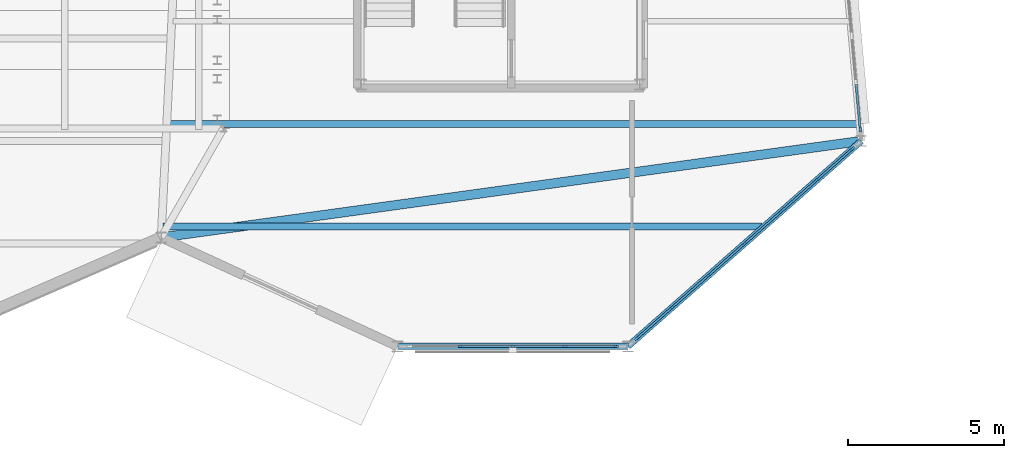
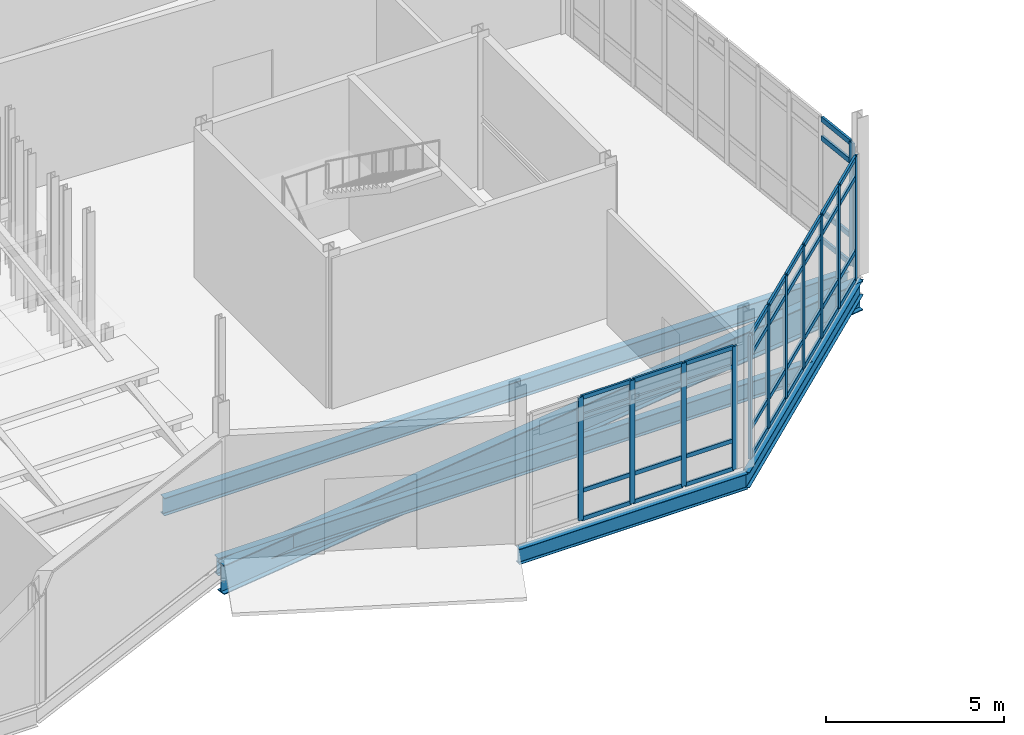
# One storey, part 26 of 113: 52 members, 5 beams, 3 elements without a shape of their own.
"""IFC4 building model written with IfcOpenShell, lengths in metres."""

from ifc_helpers import new_model, si_unit, direction, frame, origin, origin_2d, place, context, subcontext, project, spatial, rectangle, i_section, extrude, material, material_profile, profile_set, type_object, element, aggregate, save


model = new_model("IFC4")

# Units and contexts
model_context = context("Model", 3, precision=1e-05, world=origin(), true_north=direction((0.0, 1.0)))
body_context = subcontext(model_context, "Body", "Model", "MODEL_VIEW")
ifc_project = project(units=[si_unit("LENGTHUNIT", "METRE"), si_unit("AREAUNIT", "SQUARE_METRE"), si_unit("VOLUMEUNIT", "CUBIC_METRE"), si_unit("PLANEANGLEUNIT", "RADIAN"), si_unit("MASSUNIT", "GRAM", prefix="KILO")], contexts=[model_context])

# Site, building, storey
site_placement = place(None, origin())
site = spatial("IfcSite", under=ifc_project, at=site_placement, CompositionType="ELEMENT")
building_placement = place(site_placement, origin())
building = spatial("IfcBuilding", under=site, at=building_placement, Name="Tameran Prism Museum", CompositionType="ELEMENT")
storey_placement = place(building_placement, origin())
storey = spatial("IfcBuildingStorey", under=building, at=storey_placement, Name="L00", CompositionType="ELEMENT", Elevation=0.0)

# Beams
ifc_material_1 = material(Name="Steel Grade 300PLUS (300 MPa)", Category="steel")
ifc_material_profile_1 = material_profile(ifc_material_1, i_section(OverallWidth=0.208984375, OverallDepth=0.532958984375, WebThickness=0.01025390625, FlangeThickness=0.015625, FilletRadius=0.013916015625, at=origin_2d()))
ifc_profile_set_1 = profile_set([ifc_material_profile_1])
beam_type_1 = type_object("IfcBeamType", Name="BM-SP530A", PredefinedType="SPANDREL", material=ifc_profile_set_1)
beam_1_placement = place(storey_placement, frame((37.60009765625, 0.0, -0.506591796875), z_axis=(0.75070866914, 0.660633403696, 0.0), x_axis=(-0.660633403696, 0.75070866914, 0.0)))
element("IfcBeam", 1, at=beam_1_placement, inside=storey, type_object=beam_type_1, Name="Perimeter Spandrel SP-0064", PredefinedType="SPANDREL", context=body_context, shape_type="SweptSolid", body=[
    extrude(i_section(OverallWidth=0.208984375, OverallDepth=0.532958984375, WebThickness=0.01025390625, FlangeThickness=0.015625, FilletRadius=0.013916015625, at=origin_2d()), origin(), (0.0, 0.0, 1.0), 9.990478515625),
])
ifc_material_2 = material(Name="Steel Grade 300PLUS (300 MPa)", Category="steel")
ifc_material_profile_2 = material_profile(ifc_material_2, i_section(OverallWidth=0.208984375, OverallDepth=0.528076171875, WebThickness=0.009521484375, FlangeThickness=0.01318359375, FilletRadius=0.013916015625, at=origin_2d()))
ifc_profile_set_2 = profile_set([ifc_material_profile_2])
beam_type_2 = type_object("IfcBeamType", Name="BM-SP530B", PredefinedType="SPANDREL", material=ifc_profile_set_2)
beam_2_placement = place(storey_placement, frame((30.199951171875, 0.0, -0.50390625), z_axis=(1.0, 0.0, 0.0), x_axis=(0.0, 1.0, 0.0)))
element("IfcBeam", 2, at=beam_2_placement, inside=storey, type_object=beam_type_2, Name="Perimeter Spandrel SP-0063", PredefinedType="SPANDREL", context=body_context, shape_type="SweptSolid", body=[
    extrude(i_section(OverallWidth=0.208984375, OverallDepth=0.528076171875, WebThickness=0.009521484375, FlangeThickness=0.01318359375, FilletRadius=0.013916015625, at=origin_2d()), origin(), (0.0, 0.0, 1.0), 7.400146484375),
])
ifc_material_3 = material(Name="Steel Grade 300PLUS (300 MPa)", Category="steel")
ifc_material_profile_3 = material_profile(ifc_material_3, i_section(OverallWidth=0.22802734375, OverallDepth=0.60693359375, WebThickness=0.01123046875, FlangeThickness=0.017333984375, FilletRadius=0.013916015625, at=origin_2d()))
ifc_profile_set_3 = profile_set([ifc_material_profile_3])
beam_type_3 = type_object("IfcBeamType", Name="BM-UB610B", PredefinedType="BEAM", material=ifc_profile_set_3)
beam_3_placement = place(storey_placement, frame((22.656982421875, 3.85009765625, -0.54345703125), z_axis=(1.0, 0.0, 0.0), x_axis=(0.0, 1.0, 0.0)))
element("IfcBeam", 3, at=beam_3_placement, inside=storey, type_object=beam_type_3, Name="Floor Beam BM-0259", PredefinedType="BEAM", context=body_context, shape_type="SweptSolid", body=[
    extrude(i_section(OverallWidth=0.22802734375, OverallDepth=0.60693359375, WebThickness=0.01123046875, FlangeThickness=0.017333984375, FilletRadius=0.013916015625, at=origin_2d()), origin(), (0.0, 0.0, 1.0), 19.257080078125),
])
beam_4_placement = place(storey_placement, frame((22.818115234375, 7.14990234375, -0.54345703125), z_axis=(1.0, 0.0, 0.0), x_axis=(0.0, 1.0, 0.0)))
element("IfcBeam", 4, at=beam_4_placement, inside=storey, type_object=beam_type_3, Name="Floor Beam BM-0260", PredefinedType="BEAM", context=body_context, shape_type="SweptSolid", body=[
    extrude(i_section(OverallWidth=0.22802734375, OverallDepth=0.60693359375, WebThickness=0.01123046875, FlangeThickness=0.017333984375, FilletRadius=0.013916015625, at=origin_2d()), origin(), (0.0, 0.0, 1.0), 22.19189453125),
])
ifc_material_4 = material(Name="Steel Grade 350 (350 MPa)", Category="steel")
ifc_material_profile_4 = material_profile(ifc_material_4, i_section(OverallWidth=0.300048828125, OverallDepth=1.0, WebThickness=0.01611328125, FlangeThickness=0.031982421875, at=origin_2d()))
ifc_profile_set_4 = profile_set([ifc_material_profile_4])
beam_type_4 = type_object("IfcBeamType", Name="BM-WB1000", PredefinedType="BEAM", material=ifc_profile_set_4)
beam_5_placement = place(storey_placement, frame((22.60009765625, 3.5, -0.739990234375), z_axis=(0.990641086736, 0.136492627163, 0.0), x_axis=(-0.136492627163, 0.990641086736, 0.0)))
element("IfcBeam", 5, at=beam_5_placement, inside=storey, type_object=beam_type_4, Name="Primary Vertex Girder PG-0067", PredefinedType="BEAM", context=body_context, shape_type="SweptSolid", body=[
    extrude(i_section(OverallWidth=0.300048828125, OverallDepth=1.0, WebThickness=0.01611328125, FlangeThickness=0.031982421875, at=origin_2d()), origin(), (0.0, 0.0, 1.0), 22.712646484375),
])

# Curtain wall, members
ifc_material_5 = material(Name="Anodised Aluminium 6063-T6 and Cyclone Solar Glass", Category="aluminium")
curtain_wall_type_1 = type_object("IfcCurtainWallType", Name="CW-FAC-670x422", PredefinedType="USERDEFINED", material=ifc_material_5)
curtain_wall_1_placement = place(storey_placement, origin())
curtain_wall_1 = element("IfcCurtainWall", 6, at=curtain_wall_1_placement, inside=storey, type_object=curtain_wall_type_1, Name="Unitised Curtain Wall CW-043", ObjectType="UNITISED CURTAIN WALL", PredefinedType="USERDEFINED")
ifc_material_6 = material(Name="Anodised Aluminium Alloy 6063-T6", Category="aluminium")
ifc_material_profile_5 = material_profile(ifc_material_6, rectangle(XDim=0.06494140625, YDim=0.159912109375, at=origin_2d()))
ifc_profile_set_5 = profile_set([ifc_material_profile_5])
member_type_1 = type_object("IfcMemberType", Name="CW-MUL-A", PredefinedType="MULLION", material=ifc_profile_set_5)
member_1_placement = place(storey_placement, frame((37.217529296875, 0.0, 0.0), z_axis=(0.0, 0.0, 1.0), x_axis=(0.0, -1.0, 0.0)))
member_1 = element("IfcMember", 7, at=member_1_placement, type_object=member_type_1, Name="CW-043 mullion 1", PredefinedType="MULLION", context=body_context, shape_type="SweptSolid", body=[
    extrude(rectangle(XDim=0.06494140625, YDim=0.159912109375, at=origin_2d()), origin(), (0.0, 0.0, 1.0), 4.219970703125),
])
member_2_placement = place(storey_placement, frame((35.574951171875, 0.0, 0.0), z_axis=(0.0, 0.0, 1.0), x_axis=(0.0, -1.0, 0.0)))
member_2 = element("IfcMember", 8, at=member_2_placement, type_object=member_type_1, Name="CW-043 mullion 2", PredefinedType="MULLION", context=body_context, shape_type="SweptSolid", body=[
    extrude(rectangle(XDim=0.06494140625, YDim=0.159912109375, at=origin_2d()), origin(), (0.0, 0.0, 1.0), 4.219970703125),
])
member_3_placement = place(storey_placement, frame((33.89990234375, 0.0, 0.0), z_axis=(0.0, 0.0, 1.0), x_axis=(0.0, -1.0, 0.0)))
member_3 = element("IfcMember", 9, at=member_3_placement, type_object=member_type_1, Name="CW-043 mullion 3", PredefinedType="MULLION", context=body_context, shape_type="SweptSolid", body=[
    extrude(rectangle(XDim=0.06494140625, YDim=0.159912109375, at=origin_2d()), origin(), (0.0, 0.0, 1.0), 4.219970703125),
])
member_4_placement = place(storey_placement, frame((32.22509765625, 0.0, 0.0), z_axis=(0.0, 0.0, 1.0), x_axis=(0.0, -1.0, 0.0)))
member_4 = element("IfcMember", 10, at=member_4_placement, type_object=member_type_1, Name="CW-043 mullion 4", PredefinedType="MULLION", context=body_context, shape_type="SweptSolid", body=[
    extrude(rectangle(XDim=0.06494140625, YDim=0.159912109375, at=origin_2d()), origin(), (0.0, 0.0, 1.0), 4.219970703125),
])

ifc_material_7 = material(Name="Anodised Aluminium 6063-T6 and Cyclone Solar Glass", Category="aluminium")
curtain_wall_type_2 = type_object("IfcCurtainWallType", Name="CW-FAC-929x422", PredefinedType="USERDEFINED", material=ifc_material_7)
curtain_wall_2_placement = place(storey_placement, origin())
curtain_wall_2 = element("IfcCurtainWall", 11, at=curtain_wall_2_placement, inside=storey, type_object=curtain_wall_type_2, Name="Unitised Curtain Wall CW-044", ObjectType="UNITISED CURTAIN WALL", PredefinedType="USERDEFINED")
ifc_material_8 = material(Name="Anodised Aluminium Alloy 6063-T6", Category="aluminium")
ifc_material_profile_6 = material_profile(ifc_material_8, rectangle(XDim=0.070068359375, YDim=0.179931640625, at=origin_2d()))
ifc_profile_set_6 = profile_set([ifc_material_profile_6])
member_type_2 = type_object("IfcMemberType", Name="CW-MUL-B", PredefinedType="MULLION", material=ifc_profile_set_6)
member_5_placement = place(storey_placement, frame((44.810791015625, 6.345947265625, 0.0), z_axis=(0.0, 0.0, 1.0), x_axis=(0.660681275391, -0.750666538716, 0.0)))
member_5 = element("IfcMember", 12, at=member_5_placement, type_object=member_type_2, Name="CW-044 mullion 1", PredefinedType="MULLION", context=body_context, shape_type="SweptSolid", body=[
    extrude(rectangle(XDim=0.070068359375, YDim=0.179931640625, at=origin_2d()), origin(), (0.0, 0.0, 1.0), 4.219970703125),
])
member_6_placement = place(storey_placement, frame((43.674560546875, 5.345947265625, 0.0), z_axis=(0.0, 0.0, 1.0), x_axis=(0.660681275391, -0.750666538716, 0.0)))
member_6 = element("IfcMember", 13, at=member_6_placement, type_object=member_type_2, Name="CW-044 mullion 2", PredefinedType="MULLION", context=body_context, shape_type="SweptSolid", body=[
    extrude(rectangle(XDim=0.070068359375, YDim=0.179931640625, at=origin_2d()), origin(), (0.0, 0.0, 1.0), 4.219970703125),
])
member_7_placement = place(storey_placement, frame((42.512451171875, 4.322998046875, 0.0), z_axis=(0.0, 0.0, 1.0), x_axis=(0.660681275391, -0.750666538716, 0.0)))
member_7 = element("IfcMember", 14, at=member_7_placement, type_object=member_type_2, Name="CW-044 mullion 3", PredefinedType="MULLION", context=body_context, shape_type="SweptSolid", body=[
    extrude(rectangle(XDim=0.070068359375, YDim=0.179931640625, at=origin_2d()), origin(), (0.0, 0.0, 1.0), 4.219970703125),
])
member_8_placement = place(storey_placement, frame((41.35009765625, 3.300048828125, 0.0), z_axis=(0.0, 0.0, 1.0), x_axis=(0.660681275391, -0.750666538716, 0.0)))
member_8 = element("IfcMember", 15, at=member_8_placement, type_object=member_type_2, Name="CW-044 mullion 4", PredefinedType="MULLION", context=body_context, shape_type="SweptSolid", body=[
    extrude(rectangle(XDim=0.070068359375, YDim=0.179931640625, at=origin_2d()), origin(), (0.0, 0.0, 1.0), 4.219970703125),
])
member_9_placement = place(storey_placement, frame((40.187744140625, 2.277099609375, 0.0), z_axis=(0.0, 0.0, 1.0), x_axis=(0.660681275391, -0.750666538716, 0.0)))
member_9 = element("IfcMember", 16, at=member_9_placement, type_object=member_type_2, Name="CW-044 mullion 5", PredefinedType="MULLION", context=body_context, shape_type="SweptSolid", body=[
    extrude(rectangle(XDim=0.070068359375, YDim=0.179931640625, at=origin_2d()), origin(), (0.0, 0.0, 1.0), 4.219970703125),
])
member_10_placement = place(storey_placement, frame((39.025390625, 1.25390625, 0.0), z_axis=(0.0, 0.0, 1.0), x_axis=(0.660681275391, -0.750666538716, 0.0)))
member_10 = element("IfcMember", 17, at=member_10_placement, type_object=member_type_2, Name="CW-044 mullion 6", PredefinedType="MULLION", context=body_context, shape_type="SweptSolid", body=[
    extrude(rectangle(XDim=0.070068359375, YDim=0.179931640625, at=origin_2d()), origin(), (0.0, 0.0, 1.0), 4.219970703125),
])
member_11_placement = place(storey_placement, frame((37.88916015625, 0.254150390625, 0.0), z_axis=(0.0, 0.0, 1.0), x_axis=(0.660681275391, -0.750666538716, 0.0)))
member_11 = element("IfcMember", 18, at=member_11_placement, type_object=member_type_2, Name="CW-044 mullion 7", PredefinedType="MULLION", context=body_context, shape_type="SweptSolid", body=[
    extrude(rectangle(XDim=0.070068359375, YDim=0.179931640625, at=origin_2d()), origin(), (0.0, 0.0, 1.0), 4.219970703125),
])

# Curtain wall, member
ifc_material_9 = material(Name="Anodised Aluminium 6063-T6 and Cyclone Solar Glass", Category="aluminium")
curtain_wall_type_3 = type_object("IfcCurtainWallType", Name="CW-FAC-1370x422", PredefinedType="USERDEFINED", material=ifc_material_9)
curtain_wall_3_placement = place(storey_placement, origin())
curtain_wall_3 = element("IfcCurtainWall", 19, at=curtain_wall_3_placement, inside=storey, type_object=curtain_wall_type_3, Name="Unitised Curtain Wall CW-045", ObjectType="UNITISED CURTAIN WALL", PredefinedType="USERDEFINED")
ifc_material_10 = material(Name="Anodised Aluminium Alloy 6063-T6", Category="aluminium")
ifc_material_profile_7 = material_profile(ifc_material_10, rectangle(XDim=0.074951171875, YDim=0.199951171875, at=origin_2d()))
ifc_profile_set_7 = profile_set([ifc_material_profile_7])
member_type_3 = type_object("IfcMemberType", Name="CW-MUL-C", PredefinedType="MULLION", material=ifc_profile_set_7)
member_12_placement = place(storey_placement, frame((45.065673828125, 6.986328125, 0.0), z_axis=(0.0, 0.0, 1.0), x_axis=(0.995940344723, 0.090015719474, 0.0)))
member_12 = element("IfcMember", 20, at=member_12_placement, type_object=member_type_3, Name="CW-045 mullion 10", PredefinedType="MULLION", context=body_context, shape_type="SweptSolid", body=[
    extrude(rectangle(XDim=0.074951171875, YDim=0.199951171875, at=origin_2d()), origin(), (0.0, 0.0, 1.0), 4.219970703125),
])

# Member
ifc_material_11 = material(Name="Anodised Aluminium Alloy 6063-T6", Category="aluminium")
ifc_material_profile_8 = material_profile(ifc_material_11, rectangle(XDim=0.06494140625, YDim=0.139892578125, at=origin_2d()))
ifc_profile_set_8 = profile_set([ifc_material_profile_8])
member_type_4 = type_object("IfcMemberType", Name="CW-TRN-A", PredefinedType="USERDEFINED", material=ifc_profile_set_8)
member_13_placement = place(storey_placement, frame((37.18505859375, 0.0, 0.032470703125), z_axis=(-1.0, 0.0, 0.0), x_axis=(0.0, -1.0, 0.0)))
member_13 = element("IfcMember", 21, at=member_13_placement, type_object=member_type_4, Name="CW-043 transom 1.1", ObjectType="TRANSOM", PredefinedType="USERDEFINED", context=body_context, shape_type="SweptSolid", body=[
    extrude(rectangle(XDim=0.06494140625, YDim=0.139892578125, at=origin_2d()), origin(), (0.0, 0.0, 1.0), 1.57763671875),
])

member_14_placement = place(storey_placement, frame((37.18505859375, 0.0, 1.0), z_axis=(-1.0, 0.0, 0.0), x_axis=(0.0, -1.0, 0.0)))
member_14 = element("IfcMember", 22, at=member_14_placement, type_object=member_type_4, Name="CW-043 transom 1.2", ObjectType="TRANSOM", PredefinedType="USERDEFINED", context=body_context, shape_type="SweptSolid", body=[
    extrude(rectangle(XDim=0.06494140625, YDim=0.139892578125, at=origin_2d()), origin(), (0.0, 0.0, 1.0), 1.57763671875),
])

member_15_placement = place(storey_placement, frame((37.18505859375, 0.0, 3.5400390625), z_axis=(-1.0, 0.0, 0.0), x_axis=(0.0, -1.0, 0.0)))
member_15 = element("IfcMember", 23, at=member_15_placement, type_object=member_type_4, Name="CW-043 transom 1.3", ObjectType="TRANSOM", PredefinedType="USERDEFINED", context=body_context, shape_type="SweptSolid", body=[
    extrude(rectangle(XDim=0.06494140625, YDim=0.139892578125, at=origin_2d()), origin(), (0.0, 0.0, 1.0), 1.57763671875),
])

member_16_placement = place(storey_placement, frame((37.18505859375, 0.0, 4.1875), z_axis=(-1.0, 0.0, 0.0), x_axis=(0.0, -1.0, 0.0)))
member_16 = element("IfcMember", 24, at=member_16_placement, type_object=member_type_4, Name="CW-043 transom 1.4", ObjectType="TRANSOM", PredefinedType="USERDEFINED", context=body_context, shape_type="SweptSolid", body=[
    extrude(rectangle(XDim=0.06494140625, YDim=0.139892578125, at=origin_2d()), origin(), (0.0, 0.0, 1.0), 1.57763671875),
])

member_17_placement = place(storey_placement, frame((35.54248046875, 0.0, 0.032470703125), z_axis=(-1.0, 0.0, 0.0), x_axis=(0.0, -1.0, 0.0)))
member_17 = element("IfcMember", 25, at=member_17_placement, type_object=member_type_4, Name="CW-043 transom 2.1", ObjectType="TRANSOM", PredefinedType="USERDEFINED", context=body_context, shape_type="SweptSolid", body=[
    extrude(rectangle(XDim=0.06494140625, YDim=0.139892578125, at=origin_2d()), origin(), (0.0, 0.0, 1.0), 1.60986328125),
])

member_18_placement = place(storey_placement, frame((35.54248046875, 0.0, 1.0), z_axis=(-1.0, 0.0, 0.0), x_axis=(0.0, -1.0, 0.0)))
member_18 = element("IfcMember", 26, at=member_18_placement, type_object=member_type_4, Name="CW-043 transom 2.2", ObjectType="TRANSOM", PredefinedType="USERDEFINED", context=body_context, shape_type="SweptSolid", body=[
    extrude(rectangle(XDim=0.06494140625, YDim=0.139892578125, at=origin_2d()), origin(), (0.0, 0.0, 1.0), 1.60986328125),
])

member_19_placement = place(storey_placement, frame((35.54248046875, 0.0, 3.5400390625), z_axis=(-1.0, 0.0, 0.0), x_axis=(0.0, -1.0, 0.0)))
member_19 = element("IfcMember", 27, at=member_19_placement, type_object=member_type_4, Name="CW-043 transom 2.3", ObjectType="TRANSOM", PredefinedType="USERDEFINED", context=body_context, shape_type="SweptSolid", body=[
    extrude(rectangle(XDim=0.06494140625, YDim=0.139892578125, at=origin_2d()), origin(), (0.0, 0.0, 1.0), 1.60986328125),
])

member_20_placement = place(storey_placement, frame((35.54248046875, 0.0, 4.1875), z_axis=(-1.0, 0.0, 0.0), x_axis=(0.0, -1.0, 0.0)))
member_20 = element("IfcMember", 28, at=member_20_placement, type_object=member_type_4, Name="CW-043 transom 2.4", ObjectType="TRANSOM", PredefinedType="USERDEFINED", context=body_context, shape_type="SweptSolid", body=[
    extrude(rectangle(XDim=0.06494140625, YDim=0.139892578125, at=origin_2d()), origin(), (0.0, 0.0, 1.0), 1.60986328125),
])

member_21_placement = place(storey_placement, frame((33.867431640625, 0.0, 0.032470703125), z_axis=(-1.0, 0.0, 0.0), x_axis=(0.0, -1.0, 0.0)))
member_21 = element("IfcMember", 29, at=member_21_placement, type_object=member_type_4, Name="CW-043 transom 3.1", ObjectType="TRANSOM", PredefinedType="USERDEFINED", context=body_context, shape_type="SweptSolid", body=[
    extrude(rectangle(XDim=0.06494140625, YDim=0.139892578125, at=origin_2d()), origin(), (0.0, 0.0, 1.0), 1.60986328125),
])

member_22_placement = place(storey_placement, frame((33.867431640625, 0.0, 1.0), z_axis=(-1.0, 0.0, 0.0), x_axis=(0.0, -1.0, 0.0)))
member_22 = element("IfcMember", 30, at=member_22_placement, type_object=member_type_4, Name="CW-043 transom 3.2", ObjectType="TRANSOM", PredefinedType="USERDEFINED", context=body_context, shape_type="SweptSolid", body=[
    extrude(rectangle(XDim=0.06494140625, YDim=0.139892578125, at=origin_2d()), origin(), (0.0, 0.0, 1.0), 1.60986328125),
])

member_23_placement = place(storey_placement, frame((33.867431640625, 0.0, 3.5400390625), z_axis=(-1.0, 0.0, 0.0), x_axis=(0.0, -1.0, 0.0)))
member_23 = element("IfcMember", 31, at=member_23_placement, type_object=member_type_4, Name="CW-043 transom 3.3", ObjectType="TRANSOM", PredefinedType="USERDEFINED", context=body_context, shape_type="SweptSolid", body=[
    extrude(rectangle(XDim=0.06494140625, YDim=0.139892578125, at=origin_2d()), origin(), (0.0, 0.0, 1.0), 1.60986328125),
])

member_24_placement = place(storey_placement, frame((33.867431640625, 0.0, 4.1875), z_axis=(-1.0, 0.0, 0.0), x_axis=(0.0, -1.0, 0.0)))
member_24 = element("IfcMember", 32, at=member_24_placement, type_object=member_type_4, Name="CW-043 transom 3.4", ObjectType="TRANSOM", PredefinedType="USERDEFINED", context=body_context, shape_type="SweptSolid", body=[
    extrude(rectangle(XDim=0.06494140625, YDim=0.139892578125, at=origin_2d()), origin(), (0.0, 0.0, 1.0), 1.60986328125),
])

aggregate(curtain_wall_1, [member_1, member_2, member_3, member_4, member_13, member_14, member_15, member_16, member_17, member_18, member_19, member_20, member_21, member_22, member_23, member_24])

ifc_material_12 = material(Name="Anodised Aluminium Alloy 6063-T6", Category="aluminium")
ifc_material_profile_9 = material_profile(ifc_material_12, rectangle(XDim=0.070068359375, YDim=0.155029296875, at=origin_2d()))
ifc_profile_set_9 = profile_set([ifc_material_profile_9])
member_type_5 = type_object("IfcMemberType", Name="CW-TRN-B", PredefinedType="USERDEFINED", material=ifc_profile_set_9)
member_25_placement = place(storey_placement, frame((44.784423828125, 6.32275390625, 0.034912109375), z_axis=(-0.750666538712, -0.660681275396, 0.0), x_axis=(0.660681275396, -0.750666538712, 0.0)))
member_25 = element("IfcMember", 33, at=member_25_placement, type_object=member_type_5, Name="CW-044 transom 1.1", ObjectType="TRANSOM", PredefinedType="USERDEFINED", context=body_context, shape_type="SweptSolid", body=[
    extrude(rectangle(XDim=0.070068359375, YDim=0.155029296875, at=origin_2d()), origin(), (0.0, 0.0, 1.0), 1.443359375),
])

member_26_placement = place(storey_placement, frame((44.784423828125, 6.32275390625, 1.0), z_axis=(-0.750666538712, -0.660681275396, 0.0), x_axis=(0.660681275396, -0.750666538712, 0.0)))
member_26 = element("IfcMember", 34, at=member_26_placement, type_object=member_type_5, Name="CW-044 transom 1.2", ObjectType="TRANSOM", PredefinedType="USERDEFINED", context=body_context, shape_type="SweptSolid", body=[
    extrude(rectangle(XDim=0.070068359375, YDim=0.155029296875, at=origin_2d()), origin(), (0.0, 0.0, 1.0), 1.443359375),
])

member_27_placement = place(storey_placement, frame((44.784423828125, 6.32275390625, 3.5400390625), z_axis=(-0.750666538712, -0.660681275396, 0.0), x_axis=(0.660681275396, -0.750666538712, 0.0)))
member_27 = element("IfcMember", 35, at=member_27_placement, type_object=member_type_5, Name="CW-044 transom 1.3", ObjectType="TRANSOM", PredefinedType="USERDEFINED", context=body_context, shape_type="SweptSolid", body=[
    extrude(rectangle(XDim=0.070068359375, YDim=0.155029296875, at=origin_2d()), origin(), (0.0, 0.0, 1.0), 1.443359375),
])

member_28_placement = place(storey_placement, frame((44.784423828125, 6.32275390625, 4.18505859375), z_axis=(-0.750666538712, -0.660681275396, 0.0), x_axis=(0.660681275396, -0.750666538712, 0.0)))
member_28 = element("IfcMember", 36, at=member_28_placement, type_object=member_type_5, Name="CW-044 transom 1.4", ObjectType="TRANSOM", PredefinedType="USERDEFINED", context=body_context, shape_type="SweptSolid", body=[
    extrude(rectangle(XDim=0.070068359375, YDim=0.155029296875, at=origin_2d()), origin(), (0.0, 0.0, 1.0), 1.443359375),
])

member_29_placement = place(storey_placement, frame((43.6484375, 5.322998046875, 0.034912109375), z_axis=(-0.750670930559, -0.660676285342, 0.0), x_axis=(0.660676285342, -0.750670930559, 0.0)))
member_29 = element("IfcMember", 37, at=member_29_placement, type_object=member_type_5, Name="CW-044 transom 2.1", ObjectType="TRANSOM", PredefinedType="USERDEFINED", context=body_context, shape_type="SweptSolid", body=[
    extrude(rectangle(XDim=0.070068359375, YDim=0.155029296875, at=origin_2d()), origin(), (0.0, 0.0, 1.0), 1.478515625),
])

member_30_placement = place(storey_placement, frame((43.6484375, 5.322998046875, 1.0), z_axis=(-0.750670930559, -0.660676285342, 0.0), x_axis=(0.660676285342, -0.750670930559, 0.0)))
member_30 = element("IfcMember", 38, at=member_30_placement, type_object=member_type_5, Name="CW-044 transom 2.2", ObjectType="TRANSOM", PredefinedType="USERDEFINED", context=body_context, shape_type="SweptSolid", body=[
    extrude(rectangle(XDim=0.070068359375, YDim=0.155029296875, at=origin_2d()), origin(), (0.0, 0.0, 1.0), 1.478515625),
])

member_31_placement = place(storey_placement, frame((43.6484375, 5.322998046875, 3.5400390625), z_axis=(-0.750670930559, -0.660676285342, 0.0), x_axis=(0.660676285342, -0.750670930559, 0.0)))
member_31 = element("IfcMember", 39, at=member_31_placement, type_object=member_type_5, Name="CW-044 transom 2.3", ObjectType="TRANSOM", PredefinedType="USERDEFINED", context=body_context, shape_type="SweptSolid", body=[
    extrude(rectangle(XDim=0.070068359375, YDim=0.155029296875, at=origin_2d()), origin(), (0.0, 0.0, 1.0), 1.478515625),
])

member_32_placement = place(storey_placement, frame((43.6484375, 5.322998046875, 4.18505859375), z_axis=(-0.750670930559, -0.660676285342, 0.0), x_axis=(0.660676285342, -0.750670930559, 0.0)))
member_32 = element("IfcMember", 40, at=member_32_placement, type_object=member_type_5, Name="CW-044 transom 2.4", ObjectType="TRANSOM", PredefinedType="USERDEFINED", context=body_context, shape_type="SweptSolid", body=[
    extrude(rectangle(XDim=0.070068359375, YDim=0.155029296875, at=origin_2d()), origin(), (0.0, 0.0, 1.0), 1.478515625),
])

member_33_placement = place(storey_placement, frame((42.486083984375, 4.2998046875, 0.034912109375), z_axis=(-0.750752828932, -0.660583219474, 0.0), x_axis=(0.660583219474, -0.750752828932, 0.0)))
member_33 = element("IfcMember", 41, at=member_33_placement, type_object=member_type_5, Name="CW-044 transom 3.1", ObjectType="TRANSOM", PredefinedType="USERDEFINED", context=body_context, shape_type="SweptSolid", body=[
    extrude(rectangle(XDim=0.070068359375, YDim=0.155029296875, at=origin_2d()), origin(), (0.0, 0.0, 1.0), 1.478271484375),
])

member_34_placement = place(storey_placement, frame((42.486083984375, 4.2998046875, 1.0), z_axis=(-0.750752828932, -0.660583219474, 0.0), x_axis=(0.660583219474, -0.750752828932, 0.0)))
member_34 = element("IfcMember", 42, at=member_34_placement, type_object=member_type_5, Name="CW-044 transom 3.2", ObjectType="TRANSOM", PredefinedType="USERDEFINED", context=body_context, shape_type="SweptSolid", body=[
    extrude(rectangle(XDim=0.070068359375, YDim=0.155029296875, at=origin_2d()), origin(), (0.0, 0.0, 1.0), 1.478271484375),
])

member_35_placement = place(storey_placement, frame((42.486083984375, 4.2998046875, 3.5400390625), z_axis=(-0.750752828932, -0.660583219474, 0.0), x_axis=(0.660583219474, -0.750752828932, 0.0)))
member_35 = element("IfcMember", 43, at=member_35_placement, type_object=member_type_5, Name="CW-044 transom 3.3", ObjectType="TRANSOM", PredefinedType="USERDEFINED", context=body_context, shape_type="SweptSolid", body=[
    extrude(rectangle(XDim=0.070068359375, YDim=0.155029296875, at=origin_2d()), origin(), (0.0, 0.0, 1.0), 1.478271484375),
])

member_36_placement = place(storey_placement, frame((42.486083984375, 4.2998046875, 4.18505859375), z_axis=(-0.750752828932, -0.660583219474, 0.0), x_axis=(0.660583219474, -0.750752828932, 0.0)))
member_36 = element("IfcMember", 44, at=member_36_placement, type_object=member_type_5, Name="CW-044 transom 3.4", ObjectType="TRANSOM", PredefinedType="USERDEFINED", context=body_context, shape_type="SweptSolid", body=[
    extrude(rectangle(XDim=0.070068359375, YDim=0.155029296875, at=origin_2d()), origin(), (0.0, 0.0, 1.0), 1.478271484375),
])

member_37_placement = place(storey_placement, frame((41.32373046875, 3.27685546875, 0.034912109375), z_axis=(-0.750670930559, -0.660676285342, 0.0), x_axis=(0.660676285342, -0.750670930559, 0.0)))
member_37 = element("IfcMember", 45, at=member_37_placement, type_object=member_type_5, Name="CW-044 transom 4.1", ObjectType="TRANSOM", PredefinedType="USERDEFINED", context=body_context, shape_type="SweptSolid", body=[
    extrude(rectangle(XDim=0.070068359375, YDim=0.155029296875, at=origin_2d()), origin(), (0.0, 0.0, 1.0), 1.478515625),
])

member_38_placement = place(storey_placement, frame((41.32373046875, 3.27685546875, 1.0), z_axis=(-0.750670930559, -0.660676285342, 0.0), x_axis=(0.660676285342, -0.750670930559, 0.0)))
member_38 = element("IfcMember", 46, at=member_38_placement, type_object=member_type_5, Name="CW-044 transom 4.2", ObjectType="TRANSOM", PredefinedType="USERDEFINED", context=body_context, shape_type="SweptSolid", body=[
    extrude(rectangle(XDim=0.070068359375, YDim=0.155029296875, at=origin_2d()), origin(), (0.0, 0.0, 1.0), 1.478515625),
])

member_39_placement = place(storey_placement, frame((41.32373046875, 3.27685546875, 3.5400390625), z_axis=(-0.750670930559, -0.660676285342, 0.0), x_axis=(0.660676285342, -0.750670930559, 0.0)))
member_39 = element("IfcMember", 47, at=member_39_placement, type_object=member_type_5, Name="CW-044 transom 4.3", ObjectType="TRANSOM", PredefinedType="USERDEFINED", context=body_context, shape_type="SweptSolid", body=[
    extrude(rectangle(XDim=0.070068359375, YDim=0.155029296875, at=origin_2d()), origin(), (0.0, 0.0, 1.0), 1.478515625),
])

member_40_placement = place(storey_placement, frame((41.32373046875, 3.27685546875, 4.18505859375), z_axis=(-0.750670930559, -0.660676285342, 0.0), x_axis=(0.660676285342, -0.750670930559, 0.0)))
member_40 = element("IfcMember", 48, at=member_40_placement, type_object=member_type_5, Name="CW-044 transom 4.4", ObjectType="TRANSOM", PredefinedType="USERDEFINED", context=body_context, shape_type="SweptSolid", body=[
    extrude(rectangle(XDim=0.070068359375, YDim=0.155029296875, at=origin_2d()), origin(), (0.0, 0.0, 1.0), 1.478515625),
])

member_41_placement = place(storey_placement, frame((40.161376953125, 2.25390625, 0.034912109375), z_axis=(-0.750670930559, -0.660676285342, 0.0), x_axis=(0.660676285342, -0.750670930559, 0.0)))
member_41 = element("IfcMember", 49, at=member_41_placement, type_object=member_type_5, Name="CW-044 transom 5.1", ObjectType="TRANSOM", PredefinedType="USERDEFINED", context=body_context, shape_type="SweptSolid", body=[
    extrude(rectangle(XDim=0.070068359375, YDim=0.155029296875, at=origin_2d()), origin(), (0.0, 0.0, 1.0), 1.478515625),
])

member_42_placement = place(storey_placement, frame((40.161376953125, 2.25390625, 1.0), z_axis=(-0.750670930559, -0.660676285342, 0.0), x_axis=(0.660676285342, -0.750670930559, 0.0)))
member_42 = element("IfcMember", 50, at=member_42_placement, type_object=member_type_5, Name="CW-044 transom 5.2", ObjectType="TRANSOM", PredefinedType="USERDEFINED", context=body_context, shape_type="SweptSolid", body=[
    extrude(rectangle(XDim=0.070068359375, YDim=0.155029296875, at=origin_2d()), origin(), (0.0, 0.0, 1.0), 1.478515625),
])

member_43_placement = place(storey_placement, frame((40.161376953125, 2.25390625, 3.5400390625), z_axis=(-0.750670930559, -0.660676285342, 0.0), x_axis=(0.660676285342, -0.750670930559, 0.0)))
member_43 = element("IfcMember", 51, at=member_43_placement, type_object=member_type_5, Name="CW-044 transom 5.3", ObjectType="TRANSOM", PredefinedType="USERDEFINED", context=body_context, shape_type="SweptSolid", body=[
    extrude(rectangle(XDim=0.070068359375, YDim=0.155029296875, at=origin_2d()), origin(), (0.0, 0.0, 1.0), 1.478515625),
])

member_44_placement = place(storey_placement, frame((40.161376953125, 2.25390625, 4.18505859375), z_axis=(-0.750670930559, -0.660676285342, 0.0), x_axis=(0.660676285342, -0.750670930559, 0.0)))
member_44 = element("IfcMember", 52, at=member_44_placement, type_object=member_type_5, Name="CW-044 transom 5.4", ObjectType="TRANSOM", PredefinedType="USERDEFINED", context=body_context, shape_type="SweptSolid", body=[
    extrude(rectangle(XDim=0.070068359375, YDim=0.155029296875, at=origin_2d()), origin(), (0.0, 0.0, 1.0), 1.478515625),
])

member_45_placement = place(storey_placement, frame((38.9990234375, 1.23095703125, 0.034912109375), z_axis=(-0.750666538712, -0.660681275396, 0.0), x_axis=(0.660681275396, -0.750666538712, 0.0)))
member_45 = element("IfcMember", 53, at=member_45_placement, type_object=member_type_5, Name="CW-044 transom 6.1", ObjectType="TRANSOM", PredefinedType="USERDEFINED", context=body_context, shape_type="SweptSolid", body=[
    extrude(rectangle(XDim=0.070068359375, YDim=0.155029296875, at=origin_2d()), origin(), (0.0, 0.0, 1.0), 1.443359375),
])

member_46_placement = place(storey_placement, frame((38.9990234375, 1.23095703125, 1.0), z_axis=(-0.750666538712, -0.660681275396, 0.0), x_axis=(0.660681275396, -0.750666538712, 0.0)))
member_46 = element("IfcMember", 54, at=member_46_placement, type_object=member_type_5, Name="CW-044 transom 6.2", ObjectType="TRANSOM", PredefinedType="USERDEFINED", context=body_context, shape_type="SweptSolid", body=[
    extrude(rectangle(XDim=0.070068359375, YDim=0.155029296875, at=origin_2d()), origin(), (0.0, 0.0, 1.0), 1.443359375),
])

member_47_placement = place(storey_placement, frame((38.9990234375, 1.23095703125, 3.5400390625), z_axis=(-0.750666538712, -0.660681275396, 0.0), x_axis=(0.660681275396, -0.750666538712, 0.0)))
member_47 = element("IfcMember", 55, at=member_47_placement, type_object=member_type_5, Name="CW-044 transom 6.3", ObjectType="TRANSOM", PredefinedType="USERDEFINED", context=body_context, shape_type="SweptSolid", body=[
    extrude(rectangle(XDim=0.070068359375, YDim=0.155029296875, at=origin_2d()), origin(), (0.0, 0.0, 1.0), 1.443359375),
])

member_48_placement = place(storey_placement, frame((38.9990234375, 1.23095703125, 4.18505859375), z_axis=(-0.750666538712, -0.660681275396, 0.0), x_axis=(0.660681275396, -0.750666538712, 0.0)))
member_48 = element("IfcMember", 56, at=member_48_placement, type_object=member_type_5, Name="CW-044 transom 6.4", ObjectType="TRANSOM", PredefinedType="USERDEFINED", context=body_context, shape_type="SweptSolid", body=[
    extrude(rectangle(XDim=0.070068359375, YDim=0.155029296875, at=origin_2d()), origin(), (0.0, 0.0, 1.0), 1.443359375),
])

aggregate(curtain_wall_2, [member_5, member_6, member_7, member_8, member_9, member_10, member_11, member_25, member_26, member_27, member_28, member_29, member_30, member_31, member_32, member_33, member_34, member_35, member_36, member_37, member_38, member_39, member_40, member_41, member_42, member_43, member_44, member_45, member_46, member_47, member_48])

ifc_material_13 = material(Name="Anodised Aluminium Alloy 6063-T6", Category="aluminium")
ifc_material_profile_10 = material_profile(ifc_material_13, rectangle(XDim=0.074951171875, YDim=0.175048828125, at=origin_2d()))
ifc_profile_set_10 = profile_set([ifc_material_profile_10])
member_type_6 = type_object("IfcMemberType", Name="CW-TRN-C", PredefinedType="USERDEFINED", material=ifc_profile_set_10)
member_49_placement = place(storey_placement, frame((44.935302734375, 8.427490234375, 0.03759765625), z_axis=(0.090067227432, -0.995935687955, 0.0), x_axis=(0.995935687955, 0.090067227432, 0.0)))
member_49 = element("IfcMember", 57, at=member_49_placement, type_object=member_type_6, Name="CW-045 transom 9.1", ObjectType="TRANSOM", PredefinedType="USERDEFINED", context=body_context, shape_type="SweptSolid", body=[
    extrude(rectangle(XDim=0.074951171875, YDim=0.175048828125, at=origin_2d()), origin(), (0.0, 0.0, 1.0), 1.409423828125),
])

member_50_placement = place(storey_placement, frame((44.935302734375, 8.427490234375, 1.0), z_axis=(0.090067227432, -0.995935687955, 0.0), x_axis=(0.995935687955, 0.090067227432, 0.0)))
member_50 = element("IfcMember", 58, at=member_50_placement, type_object=member_type_6, Name="CW-045 transom 9.2", ObjectType="TRANSOM", PredefinedType="USERDEFINED", context=body_context, shape_type="SweptSolid", body=[
    extrude(rectangle(XDim=0.074951171875, YDim=0.175048828125, at=origin_2d()), origin(), (0.0, 0.0, 1.0), 1.409423828125),
])

member_51_placement = place(storey_placement, frame((44.935302734375, 8.427490234375, 3.5400390625), z_axis=(0.090067227432, -0.995935687955, 0.0), x_axis=(0.995935687955, 0.090067227432, 0.0)))
member_51 = element("IfcMember", 59, at=member_51_placement, type_object=member_type_6, Name="CW-045 transom 9.3", ObjectType="TRANSOM", PredefinedType="USERDEFINED", context=body_context, shape_type="SweptSolid", body=[
    extrude(rectangle(XDim=0.074951171875, YDim=0.175048828125, at=origin_2d()), origin(), (0.0, 0.0, 1.0), 1.409423828125),
])

member_52_placement = place(storey_placement, frame((44.935302734375, 8.427490234375, 4.1826171875), z_axis=(0.090067227432, -0.995935687955, 0.0), x_axis=(0.995935687955, 0.090067227432, 0.0)))
member_52 = element("IfcMember", 60, at=member_52_placement, type_object=member_type_6, Name="CW-045 transom 9.4", ObjectType="TRANSOM", PredefinedType="USERDEFINED", context=body_context, shape_type="SweptSolid", body=[
    extrude(rectangle(XDim=0.074951171875, YDim=0.175048828125, at=origin_2d()), origin(), (0.0, 0.0, 1.0), 1.409423828125),
])

aggregate(curtain_wall_3, [member_12, member_49, member_50, member_51, member_52])

save(model, "model.ifc")
